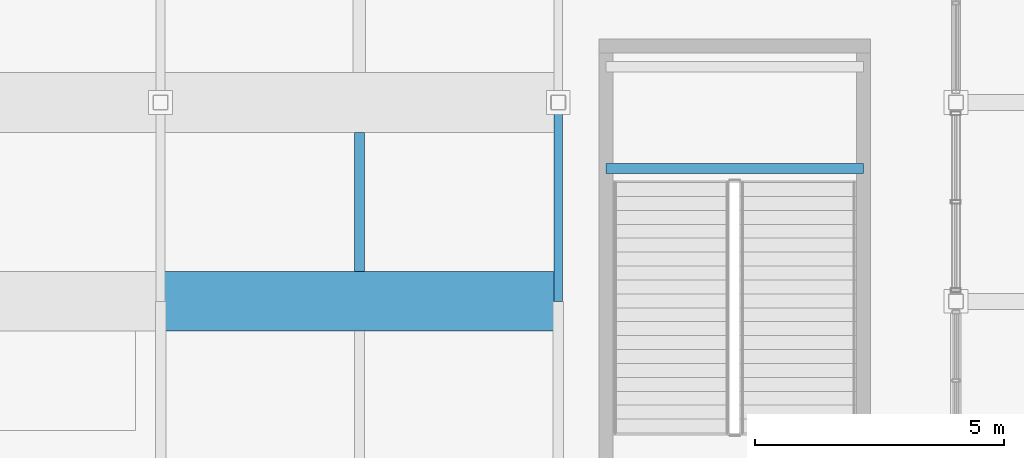
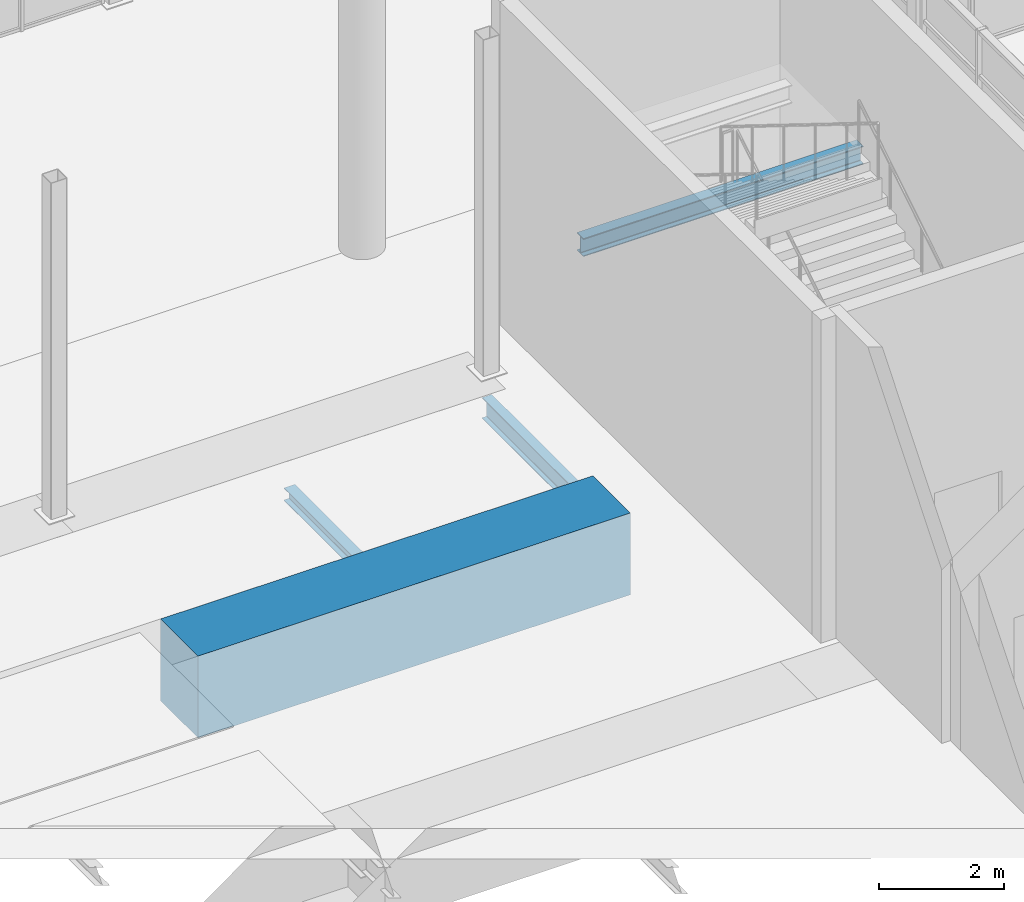
# One storey, part 43 of 140: 4 beams.
"""IFC4 building model written with IfcOpenShell, lengths in metres."""

import ifcopenshell
import ifcopenshell.guid

model = None  # the IFC model being written
_history = None  # IfcOwnerHistory: only IFC2X3 demands one
_inside = {}  # id of a spatial element -> (the spatial element, [elements in it])
_under = {}  # id of a project, library or spatial element -> (it, [spatial elements below it])
_declared = {}  # id of a project -> (the project, [libraries it declares])
_typed = {}  # id of a type object -> (the type object, [elements of that type])
_made_of = {}  # id of a material, layer set ... -> (it, [elements and type objects made of it])


def new_model(schema):
    """Start an empty IFC model of exactly this schema.

    Asked for "IFC4X3", IfcOpenShell would pick the latest addendum, in which some entities
    have other attributes; the version numbers below select the first issue.
    IFC2X3 requires an IfcOwnerHistory on every rooted entity: one is made here for all.
    """
    global model, _history
    if schema == "IFC4X3":
        model = ifcopenshell.file(schema_version=(4, 3, 0, 0))
    else:
        model = ifcopenshell.file(schema=schema)
    _inside.clear()
    _under.clear()
    _declared.clear()
    _typed.clear()
    _made_of.clear()
    _history = None
    if model.schema == "IFC2X3":
        org = make("IfcOrganization", Name="unknown")
        user = make(
            "IfcPersonAndOrganization",
            ThePerson=make("IfcPerson", FamilyName="unknown"),
            TheOrganization=org,
        )
        app = make(
            "IfcApplication",
            ApplicationDeveloper=org,
            Version="unknown",
            ApplicationFullName="unknown",
            ApplicationIdentifier="unknown",
        )
        _history = make(
            "IfcOwnerHistory",
            OwningUser=user,
            OwningApplication=app,
            ChangeAction="ADDED",
            CreationDate=0,
        )
    return model


def make(cls, **values):
    """One entity of the class cls with the attributes given. An attribute that is None is left unset."""
    return model.create_entity(
        cls, **{name: value for name, value in values.items() if value is not None}
    )


def rooted(cls, **values):
    """An entity with a GlobalId (a new one), such as an element, a storey or a relation."""
    return make(cls, GlobalId=ifcopenshell.guid.new(), OwnerHistory=_history, **values)


def si_unit(unit_type, name, prefix=None):
    """IfcSIUnit, for example si_unit("LENGTHUNIT", "METRE", prefix="MILLI")."""
    return make("IfcSIUnit", UnitType=unit_type, Prefix=prefix, Name=name)


def assignment(units):
    """IfcUnitAssignment: the units of a project."""
    return None if units is None else make("IfcUnitAssignment", Units=units)


def point(xyz):
    """IfcCartesianPoint."""
    return None if xyz is None else make("IfcCartesianPoint", Coordinates=xyz)


def direction(xyz):
    """IfcDirection."""
    return None if xyz is None else make("IfcDirection", DirectionRatios=xyz)


def frame(location, z_axis=None, x_axis=None):
    """IfcAxis2Placement3D, a coordinate frame: its origin and axes. An axis left out is left unset."""
    return make(
        "IfcAxis2Placement3D",
        Location=point(location),
        Axis=direction(z_axis),
        RefDirection=direction(x_axis),
    )


def frame_2d(location, x_axis=None):
    """IfcAxis2Placement2D, a coordinate frame in the plane: its origin and x axis."""
    return make(
        "IfcAxis2Placement2D", Location=point(location), RefDirection=direction(x_axis)
    )


def origin():
    """The frame at (0, 0, 0) with its axes left unset."""
    return frame((0.0, 0.0, 0.0))


def origin_2d():
    """The frame at (0, 0) in the plane with its x axis left unset."""
    return frame_2d((0.0, 0.0))


def place(relative_to, where):
    """IfcLocalPlacement: puts the frame where relative to a parent placement (None: the world)."""
    return make(
        "IfcLocalPlacement", PlacementRelTo=relative_to, RelativePlacement=where
    )


def context(
    kind, dimensions, precision=None, world=None, true_north=None, identifier=None
):
    """IfcGeometricRepresentationContext, for example the 3D "Model" context."""
    return make(
        "IfcGeometricRepresentationContext",
        ContextIdentifier=identifier,
        ContextType=kind,
        CoordinateSpaceDimension=dimensions,
        Precision=precision,
        WorldCoordinateSystem=world,
        TrueNorth=true_north,
    )


def subcontext(parent, identifier, kind, view, scale=None):
    """IfcGeometricRepresentationSubContext, for example "Body" below "Model"."""
    return make(
        "IfcGeometricRepresentationSubContext",
        ContextIdentifier=identifier,
        ContextType=kind,
        ParentContext=parent,
        TargetScale=scale,
        TargetView=view,
    )


def project(units=None, contexts=None):
    """IfcProject with its units and contexts."""
    return rooted(
        "IfcProject",
        Name="project",
        RepresentationContexts=contexts,
        UnitsInContext=assignment(units),
    )


def spatial(cls, under=None, at=None, **own):
    """A site, building, storey or space (cls), placed at a placement, below another one or the project."""
    s = rooted(cls, ObjectPlacement=at, **own)
    if under is not None:
        _under.setdefault(under.id(), (under, []))[1].append(s)
    return s


def profile(cls, at=None, kind="AREA", **sizes):
    """A parametric profile (cls). Its sizes go by their IFC names, for example OverallWidth=200.0."""
    return make(cls, ProfileType=kind, Position=at, **sizes)


def rectangle(**sizes):
    """IfcRectangleProfileDef."""
    return profile("IfcRectangleProfileDef", **sizes)


def i_section(**sizes):
    """IfcIShapeProfileDef."""
    return profile("IfcIShapeProfileDef", **sizes)


def extrude(swept, where, along, depth):
    """IfcExtrudedAreaSolid: the profile swept, set in the frame where, extruded along a direction by depth."""
    return make(
        "IfcExtrudedAreaSolid",
        SweptArea=swept,
        Position=where,
        ExtrudedDirection=direction(along),
        Depth=depth,
    )


def shape(context_of_items, identifier, shape_type, items):
    """IfcShapeRepresentation: the items that make up one representation, for example the "Body"."""
    return make(
        "IfcShapeRepresentation",
        ContextOfItems=context_of_items,
        RepresentationIdentifier=identifier,
        RepresentationType=shape_type,
        Items=items,
    )


def material(Name=None, Category=None):
    """IfcMaterial."""
    return make("IfcMaterial", Name=Name, Category=Category)


def material_profile(
    of_material, cross_section, Name=None, Category=None, Priority=None
):
    """IfcMaterialProfile: a cross section and its material."""
    return make(
        "IfcMaterialProfile",
        Name=Name,
        Material=of_material,
        Profile=cross_section,
        Priority=Priority,
        Category=Category,
    )


def profile_set(profiles, Name=None, composite=None):
    """IfcMaterialProfileSet."""
    return make(
        "IfcMaterialProfileSet",
        Name=Name,
        MaterialProfiles=profiles,
        CompositeProfile=composite,
    )


def made_of(thing, what):
    """Note that an element or type object is made of a material, layer set ...; save() writes the relation."""
    if what is not None:
        _made_of.setdefault(what.id(), (what, []))[1].append(thing)
    return thing


def type_object(cls, material=None, **own):
    """A type object (cls), such as IfcWallType, which elements share."""
    return made_of(rooted(cls, **own), material)


def element(
    cls,
    number,
    at=None,
    inside=None,
    cuts=None,
    type_object=None,
    material=None,
    context=None,
    identifier="Body",
    shape_type=None,
    held_by="IfcProductDefinitionShape",
    body=None,
    shapes=None,
    **own,
):
    """One element of the class cls, such as IfcWall. Its Tag is "e" and its number.

    at: its placement. inside: the storey or other place that contains it. cuts: it is an
    opening in that element (IfcRelVoidsElement). A single representation is given by context,
    identifier, shape_type and body (its items); several are given by shapes. held_by: the class
    of the entity that holds the representations. save() writes the other relations.
    """
    e = rooted(cls, Tag="e%d" % number, ObjectPlacement=at, **own)
    if body is not None:
        shapes = [shape(context, identifier, shape_type, body)]
    if shapes is not None:
        e.Representation = make(held_by, Representations=shapes)
    if inside is not None:
        _inside.setdefault(inside.id(), (inside, []))[1].append(e)
    if cuts is not None:
        rooted(
            "IfcRelVoidsElement", RelatingBuildingElement=cuts, RelatedOpeningElement=e
        )
    if type_object is not None:
        _typed.setdefault(type_object.id(), (type_object, []))[1].append(e)
    return made_of(e, material)


def aggregate(whole, parts):
    """IfcRelAggregates: a whole, such as a stair, and the parts it consists of."""
    return rooted("IfcRelAggregates", RelatingObject=whole, RelatedObjects=parts)


def save(model, path):
    """Write the relations noted so far, then the file.

    IfcRelAggregates (storeys below a building ...), IfcRelContainedInSpatialStructure (elements
    in a storey), IfcRelDefinesByType, IfcRelAssociatesMaterial and IfcRelDeclares: one each for
    every whole, place, type object, material and project.
    """
    for whole, parts in _under.values():
        aggregate(whole, parts)
    for where, things in _inside.values():
        rooted(
            "IfcRelContainedInSpatialStructure",
            RelatedElements=things,
            RelatingStructure=where,
        )
    for kind, things in _typed.values():
        rooted("IfcRelDefinesByType", RelatedObjects=things, RelatingType=kind)
    for what, things in _made_of.values():
        rooted("IfcRelAssociatesMaterial", RelatedObjects=things, RelatingMaterial=what)
    for by, libraries in _declared.values():
        rooted("IfcRelDeclares", RelatingContext=by, RelatedDefinitions=libraries)
    model.write(path)


model = new_model("IFC4")

# Units and contexts
model_context = context("Model", 3, precision=1e-05, world=origin(), true_north=direction((0.0, 1.0)))
body_context = subcontext(model_context, "Body", "Model", "MODEL_VIEW")
ifc_project = project(units=[si_unit("LENGTHUNIT", "METRE"), si_unit("AREAUNIT", "SQUARE_METRE"), si_unit("VOLUMEUNIT", "CUBIC_METRE"), si_unit("PLANEANGLEUNIT", "RADIAN"), si_unit("MASSUNIT", "GRAM", prefix="KILO")], contexts=[model_context])

# Site, building, storey
site_placement = place(None, origin())
site = spatial("IfcSite", under=ifc_project, at=site_placement, CompositionType="ELEMENT")
building_placement = place(site_placement, origin())
building = spatial("IfcBuilding", under=site, at=building_placement, Name="Verrall Gate Interchange", CompositionType="ELEMENT")
storey_placement = place(building_placement, origin())
storey = spatial("IfcBuildingStorey", under=building, at=storey_placement, Name="L01", CompositionType="ELEMENT", Elevation=0.0)

# Beams
ifc_material_1 = material(Name="Structural Steel CSA G40.21 350W", Category="steel")
ifc_material_profile_1 = material_profile(ifc_material_1, i_section(OverallWidth=0.178955078125, OverallDepth=0.409912109375, WebThickness=0.0087890625, FlangeThickness=0.014404296875, FilletRadius=0.011962890625, at=origin_2d()), Name="W410x67")
ifc_profile_set_1 = profile_set([ifc_material_profile_1], Name="Structural Steel CSA G40.21 350W")
beam_type_1 = type_object("IfcBeamType", Name="B-12 Structural Beam W410x67", PredefinedType="BEAM", material=ifc_profile_set_1)
beam_1_placement = place(storey_placement, frame((100.0, 40.0, -0.705078125), z_axis=(0.0, 1.0, 0.0), x_axis=(-1.0, 0.0, 0.0)))
element("IfcBeam", 1, at=beam_1_placement, inside=storey, type_object=beam_type_1, Name="L01 Girder BM-L01-1165 (B-12)", PredefinedType="BEAM", context=body_context, shape_type="SweptSolid", body=[
    extrude(i_section(OverallWidth=0.178955078125, OverallDepth=0.409912109375, WebThickness=0.0087890625, FlangeThickness=0.014404296875, FilletRadius=0.011962890625, at=origin_2d()), origin(), (0.0, 0.0, 1.0), 4.0),
])
ifc_material_2 = material(Name="Structural Steel CSA G40.21 350W", Category="steel")
ifc_material_profile_2 = material_profile(ifc_material_2, i_section(OverallWidth=0.205078125, OverallDepth=0.35400390625, WebThickness=0.009521484375, FlangeThickness=0.016845703125, FilletRadius=0.012939453125, at=origin_2d()), Name="W360x79")
ifc_profile_set_2 = profile_set([ifc_material_profile_2], Name="Structural Steel CSA G40.21 350W")
beam_type_2 = type_object("IfcBeamType", Name="B-14 Structural Beam W360x79", PredefinedType="BEAM", material=ifc_profile_set_2)
beam_2_placement = place(storey_placement, frame((100.9599609375, 42.669921875, 2.929931640625), z_axis=(1.0, 0.0, 0.0), x_axis=(0.0, 1.0, 0.0)))
element("IfcBeam", 2, at=beam_2_placement, inside=storey, type_object=beam_type_2, Name="L01 Core C7 Mid-Landing Beam 1", PredefinedType="BEAM", context=body_context, shape_type="SweptSolid", body=[
    extrude(i_section(OverallWidth=0.205078125, OverallDepth=0.35400390625, WebThickness=0.009521484375, FlangeThickness=0.016845703125, FilletRadius=0.012939453125, at=origin_2d()), origin(), (0.0, 0.0, 1.0), 5.179931640625),
])
ifc_material_3 = material(Name="Structural Steel CSA G40.21 350W", Category="steel")
ifc_material_profile_3 = material_profile(ifc_material_3, i_section(OverallWidth=0.201904296875, OverallDepth=0.2470703125, WebThickness=0.00732421875, FlangeThickness=0.010986328125, FilletRadius=0.010986328125, at=origin_2d()), Name="W250x49")
ifc_profile_set_3 = profile_set([ifc_material_profile_3], Name="Structural Steel CSA G40.21 350W")
beam_type_3 = type_object("IfcBeamType", Name="J-06 Floor Joist W250x49", PredefinedType="JOIST", material=ifc_profile_set_3)
beam_3_placement = place(storey_placement, frame((96.0, 40.60009765625, -0.62353515625), z_axis=(0.0, 1.0, 0.0), x_axis=(-1.0, 0.0, 0.0)))
element("IfcBeam", 3, at=beam_3_placement, inside=storey, type_object=beam_type_3, Name="L01 Secondary Floor Joist JST-L01-1371", PredefinedType="JOIST", context=body_context, shape_type="SweptSolid", body=[
    extrude(i_section(OverallWidth=0.201904296875, OverallDepth=0.2470703125, WebThickness=0.00732421875, FlangeThickness=0.010986328125, FilletRadius=0.010986328125, at=origin_2d()), origin(), (0.0, 0.0, 1.0), 2.7998046875),
])
ifc_material_4 = material(Name="Concrete CSA A23.1 40 MPa (Class N)", Category="concrete")
ifc_material_profile_4 = material_profile(ifc_material_4, rectangle(XDim=1.199951171875, YDim=1.60009765625, at=origin_2d()), Name="RC1200x1600")
ifc_profile_set_4 = profile_set([ifc_material_profile_4], Name="Concrete CSA A23.1 40 MPa (Class N)")
beam_type_4 = type_object("IfcBeamType", Name="TG-01 Transfer Girder RC1200x1600", PredefinedType="USERDEFINED", material=ifc_profile_set_4)
beam_4_placement = place(storey_placement, frame((92.0, 40.0, -0.800048828125), z_axis=(1.0, 0.0, 0.0), x_axis=(0.0, 1.0, 0.0)))
element("IfcBeam", 4, at=beam_4_placement, inside=storey, type_object=beam_type_4, Name="L01 Girder BM-L01-0880 (TG-01)", ObjectType="TRANSFER_GIRDER", PredefinedType="USERDEFINED", context=body_context, shape_type="SweptSolid", body=[
    extrude(rectangle(XDim=1.199951171875, YDim=1.60009765625, at=origin_2d()), origin(), (0.0, 0.0, 1.0), 8.0),
])

save(model, "model.ifc")
